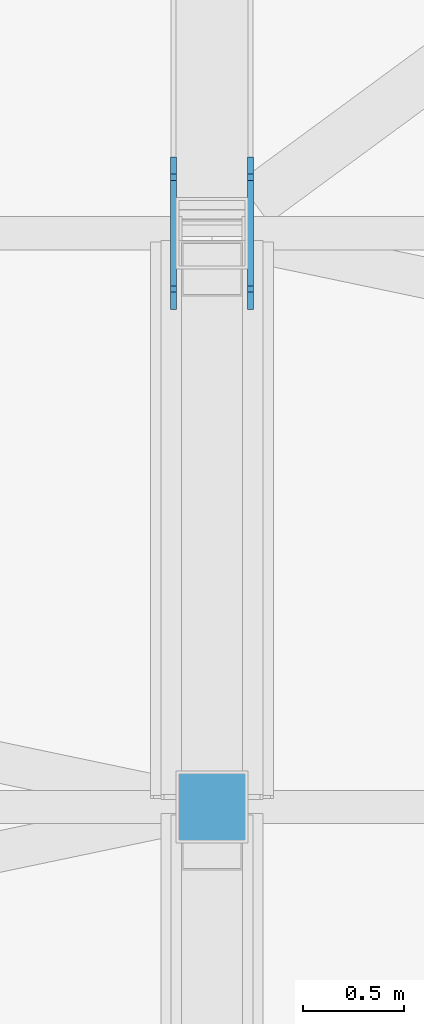
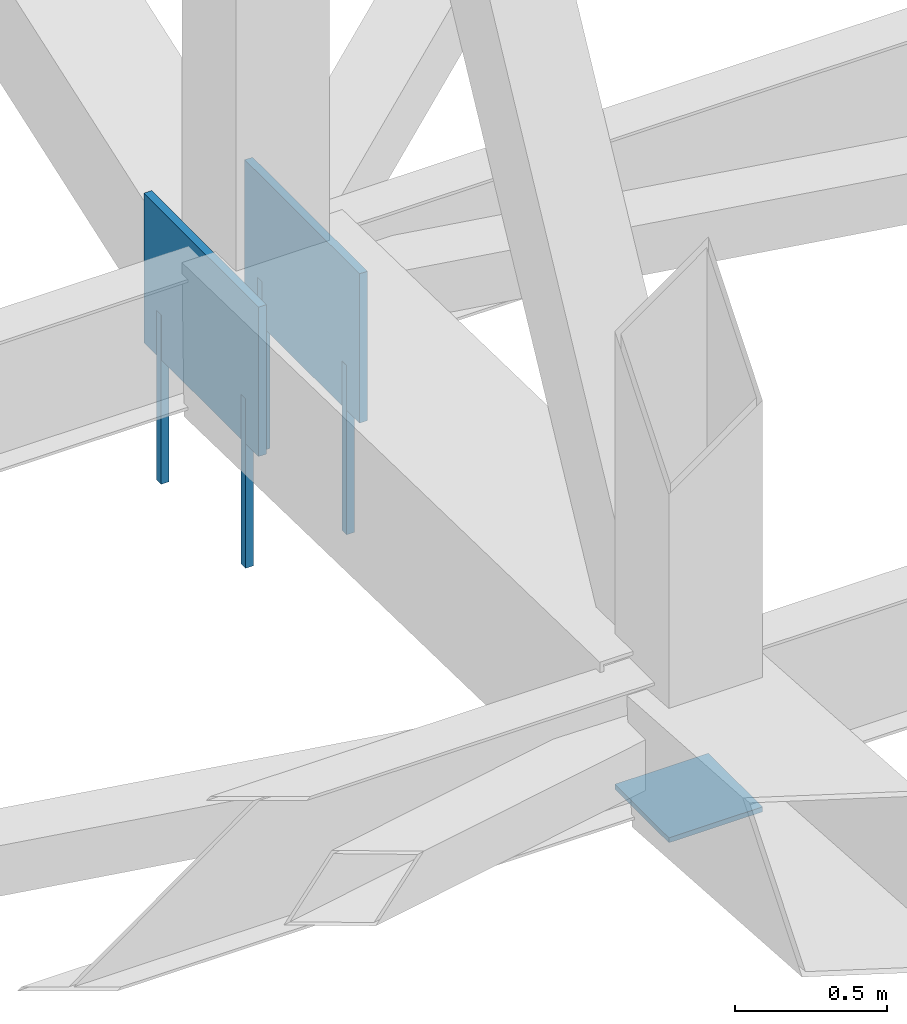
# One storey, part 237 of 278: 4 mechanical fasteners, 3 discrete accessories.
"""IFC4 building model written with IfcOpenShell, lengths in metres."""

from ifc_helpers import new_model, si_unit, direction, frame, origin, origin_2d, place, context, subcontext, project, spatial, rectangle, extrude, material, layer, layer_set, type_object, element, save


model = new_model("IFC4")

# Units and contexts
model_context = context("Model", 3, precision=1e-05, world=origin(), true_north=direction((0.0, 1.0)))
body_context = subcontext(model_context, "Body", "Model", "MODEL_VIEW")
ifc_project = project(units=[si_unit("LENGTHUNIT", "METRE"), si_unit("AREAUNIT", "SQUARE_METRE"), si_unit("VOLUMEUNIT", "CUBIC_METRE"), si_unit("PLANEANGLEUNIT", "RADIAN"), si_unit("MASSUNIT", "GRAM", prefix="KILO")], contexts=[model_context])

# Site, building, storey
site_placement = place(None, origin())
site = spatial("IfcSite", under=ifc_project, at=site_placement, CompositionType="ELEMENT")
building_placement = place(site_placement, origin())
building = spatial("IfcBuilding", under=site, at=building_placement, Name="Ogive Plaza Stadium", CompositionType="ELEMENT")
storey_placement = place(building_placement, frame((0.0, 0.0, 29.0)))
storey = spatial("IfcBuildingStorey", under=building, at=storey_placement, Name="Roof", CompositionType="ELEMENT", Elevation=29.0)

# Mechanical fasteners
ifc_material_1 = material(Name="Steel ASTM A992 Grade 50", Category="steel")
mechanical_fastener_type = type_object("IfcMechanicalFastenerType", Name="Anchor bolt M30 x 600", PredefinedType="ANCHORBOLT", material=ifc_material_1)
for number, where, z_axis, x_axis, name in (
    (1, (6.608154296875, 92.77783203125, -0.5), (0.0, 0.0, 1.0), (0.0, 1.0, 0.0), "ANCHOR BOLT 35 BP 1.1"),
    (2, (6.608154296875, 92.22216796875, -0.5), (0.0, 0.0, 1.0), (0.0, 1.0, 0.0), "ANCHOR BOLT 35 BP 1.2"),
    (3, (6.99169921875, 92.77783203125, -0.5), (0.0, 0.0, 1.0), (0.0, 1.0, 0.0), "ANCHOR BOLT 35 BP 2.1"),
    (4, (6.99169921875, 92.22216796875, -0.5), (0.0, 0.0, 1.0), (0.0, 1.0, 0.0), "ANCHOR BOLT 35 BP 2.2"),
):
    element("IfcMechanicalFastener", number, at=place(storey_placement, frame(where, z_axis=z_axis, x_axis=x_axis)), inside=storey, type_object=mechanical_fastener_type, Name=name, PredefinedType="ANCHORBOLT", context=body_context, shape_type="SweptSolid", body=[
        extrude(rectangle(XDim=0.030029296875, YDim=0.030029296875, at=origin_2d()), origin(), (0.0, 0.0, 1.0), 0.679931640625),
    ])

# Discrete accessories
ifc_material_2 = material(Name="Steel ASTM A992 Grade 50", Category="steel")
ifc_layer_1 = layer(ifc_material_2, 0.02001953125)
ifc_layer_set_1 = layer_set([ifc_layer_1], Name="Steel ASTM A992 Grade 50")
discrete_accessory_type_1 = type_object("IfcDiscreteAccessoryType", Name="Roof truss post cap plate 20", PredefinedType="ANCHORPLATE", material=ifc_layer_set_1)
discrete_accessory_placement = place(storey_placement, frame((6.800048828125, 89.64990234375, 0.04541015625), z_axis=(0.0, 0.0, 1.0), x_axis=(0.0, 1.0, 0.0)))
element("IfcDiscreteAccessory", 5, at=discrete_accessory_placement, inside=storey, type_object=discrete_accessory_type_1, Name="ROOF TRUSS POST CAP PLATE 35 10", PredefinedType="ANCHORPLATE", context=body_context, shape_type="SweptSolid", body=[
    extrude(rectangle(XDim=0.355712890625, YDim=0.355712890625, at=origin_2d()), origin(), (0.0, 0.0, 1.0), 0.02001953125),
])
ifc_material_3 = material(Name="Steel ASTM A992 Grade 50", Category="steel")
ifc_layer_2 = layer(ifc_material_3, 0.030029296875)
ifc_layer_set_2 = layer_set([ifc_layer_2], Name="Steel ASTM A992 Grade 50")
discrete_accessory_type_2 = type_object("IfcDiscreteAccessoryType", Name="Truss root foot cleat plate 30", PredefinedType="ANCHORPLATE", material=ifc_layer_set_2)
for number, where, z_axis, x_axis, name in (
    (6, (6.608154296875, 92.5, 0.0), (0.0, 0.0, 1.0), (0.0, 1.0, 0.0), "TRUSS ROOT FOOT CLEAT PLATE 35 1"),
    (7, (6.99169921875, 92.5, 0.0), (0.0, 0.0, 1.0), (0.0, 1.0, 0.0), "TRUSS ROOT FOOT CLEAT PLATE 35 2"),
):
    element("IfcDiscreteAccessory", number, at=place(storey_placement, frame(where, z_axis=z_axis, x_axis=x_axis)), inside=storey, type_object=discrete_accessory_type_2, Name=name, PredefinedType="ANCHORPLATE", context=body_context, shape_type="SweptSolid", body=[
        extrude(rectangle(XDim=0.755615234375, YDim=0.030029296875, at=origin_2d()), origin(), (0.0, 0.0, 1.0), 0.60009765625),
    ])

save(model, "model.ifc")
